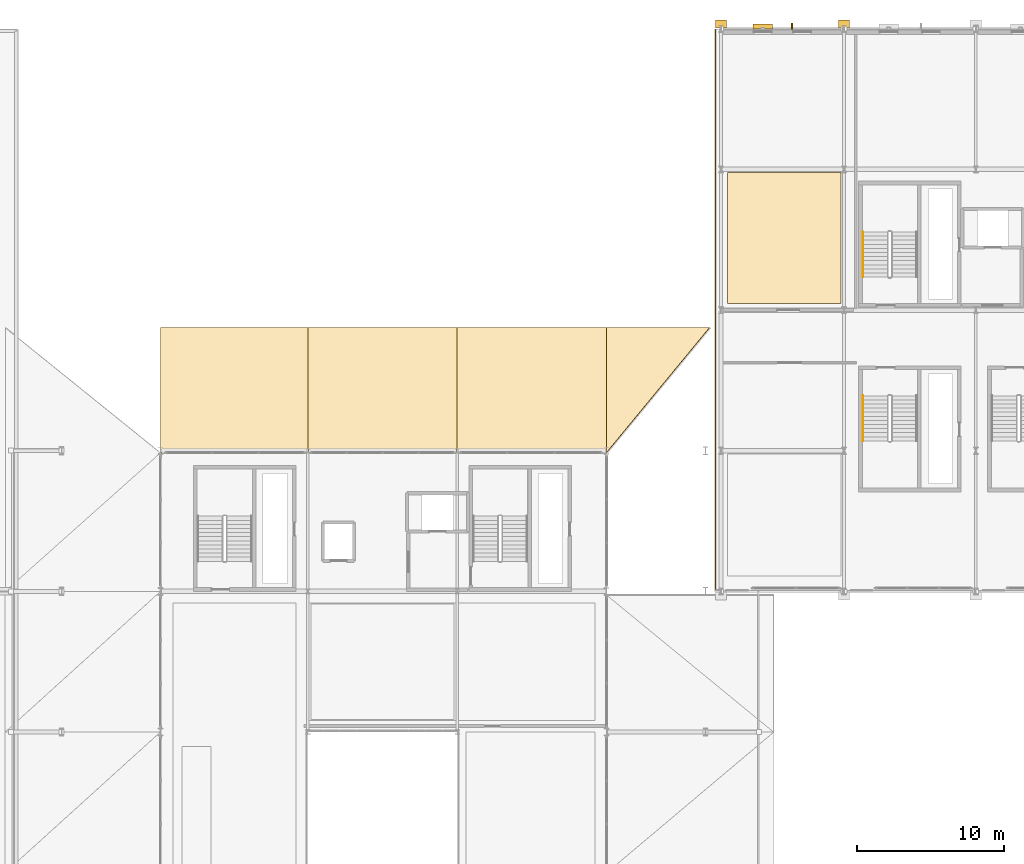
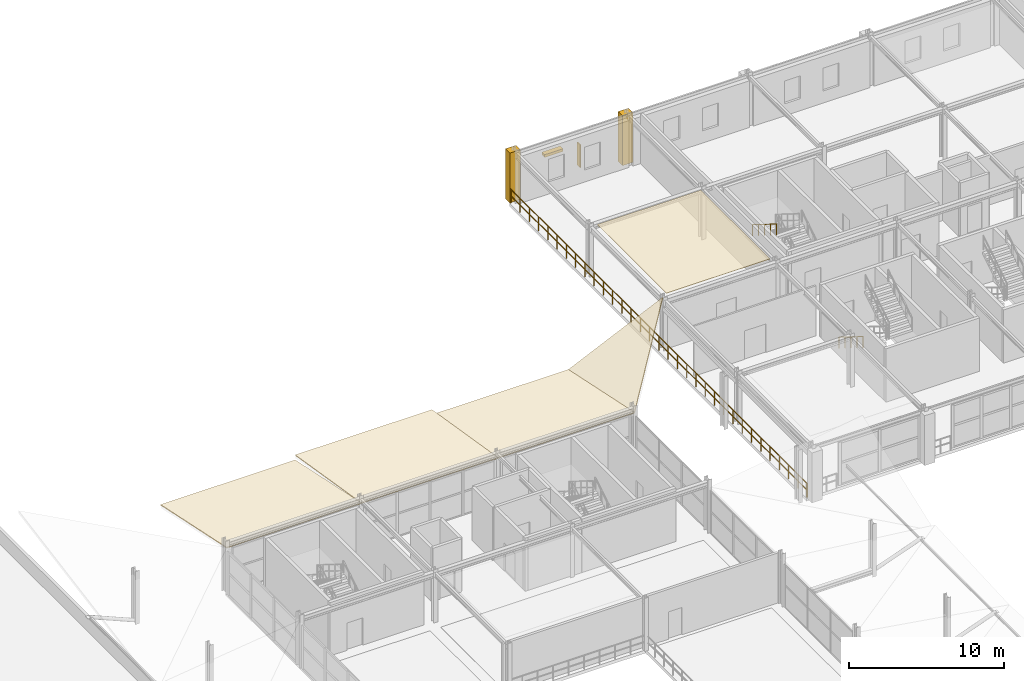
# One storey, part 74 of 81: 7 coverings, 3 railings, 2 shading devices.
"""IFC4 building model written with IfcOpenShell, lengths in metres."""

from ifc_helpers import new_model, si_unit, direction, frame, origin, origin_2d, place, context, subcontext, project, spatial, polyline, rectangle, outline, extrude, material, layer, layer_set, type_object, element, save


model = new_model("IFC4")

# Units and contexts
model_context = context("Model", 3, precision=1e-05, world=origin(), true_north=direction((0.0, 1.0)))
body_context = subcontext(model_context, "Body", "Model", "MODEL_VIEW")
ifc_project = project(units=[si_unit("LENGTHUNIT", "METRE"), si_unit("AREAUNIT", "SQUARE_METRE"), si_unit("VOLUMEUNIT", "CUBIC_METRE"), si_unit("PLANEANGLEUNIT", "RADIAN"), si_unit("MASSUNIT", "GRAM", prefix="KILO")], contexts=[model_context])

# Site, building, storey
site_placement = place(None, origin())
site = spatial("IfcSite", under=ifc_project, at=site_placement, CompositionType="ELEMENT")
building_placement = place(site_placement, origin())
building = spatial("IfcBuilding", under=site, at=building_placement, Name="Myrtia Square Station", CompositionType="ELEMENT")
storey_placement = place(building_placement, frame((0.0, 0.0, 10.800048828125)))
storey = spatial("IfcBuildingStorey", under=building, at=storey_placement, Name="L02", CompositionType="ELEMENT", Elevation=10.800048828125)

# Coverings
ifc_material_1 = material(Name="Pentelic marble ashlar", Category="masonry")
ifc_layer_1 = layer(ifc_material_1, 0.4599609375, Name="Pentelic marble ashlar")
ifc_layer_set_1 = layer_set([ifc_layer_1], Name="Pentelic marble ashlar")
covering_type_1 = type_object("IfcCoveringType", Name="COV-ARCH-ASHLAR", PredefinedType="CLADDING", material=ifc_layer_set_1)
for number, where, z_axis, x_axis, name in (
    (1, (117.60009765625, 125.1201171875, -0.0400390625), (0.0, 0.0, 1.0), (1.0, 0.0, 0.0), "Classical Pentelic ashlar pilaster 058"),
    (2, (126.0, 125.1201171875, -0.0400390625), (0.0, 0.0, 1.0), (1.0, 0.0, 0.0), "Classical Pentelic ashlar pilaster 064"),
):
    element("IfcCovering", number, at=place(storey_placement, frame(where, z_axis=z_axis, x_axis=x_axis)), inside=storey, type_object=covering_type_1, Name=name, PredefinedType="CLADDING", context=body_context, shape_type="SweptSolid", body=[
        extrude(rectangle(XDim=0.780029296875, YDim=0.56005859375, at=origin_2d()), origin(), (0.0, 0.0, 1.0), 3.93994140625),
    ])
ifc_material_2 = material(Name="Gypsum plasterboard")
ifc_layer_2 = layer(ifc_material_2, 0.034912109375, Name="Gypsum plasterboard")
ifc_layer_set_2 = layer_set([ifc_layer_2], Name="Gypsum plasterboard")
covering_type_2 = type_object("IfcCoveringType", Name="COV-CEIL-ACOUSTIC", PredefinedType="CEILING", material=ifc_layer_set_2)
covering_1_placement = place(storey_placement, frame((0.0, 0.0, 3.919921875)))
element("IfcCovering", 3, at=covering_1_placement, inside=storey, type_object=covering_type_2, Name="Acoustic coffer ceiling L02-16", PredefinedType="CEILING", context=body_context, shape_type="SweptSolid", body=[
    extrude(outline(polyline([(118.050048828125, 106.050048828125), (118.050048828125, 114.97998046875), (125.780029296875, 114.97998046875), (125.780029296875, 106.050048828125), (118.050048828125, 106.050048828125)])), origin(), (0.0, 0.0, 1.0), 0.034912109375),
])
ifc_material_3 = material(Name="Terracotta clay barrel tiles", Category="masonry")
ifc_layer_3 = layer(ifc_material_3, 0.06494140625, Name="Terracotta clay barrel tiles")
ifc_layer_set_3 = layer_set([ifc_layer_3], Name="Terracotta clay barrel tiles")
covering_type_3 = type_object("IfcCoveringType", Name="COV-TILE-TERRACOTTA", PredefinedType="ROOFING", material=ifc_layer_set_3)
covering_2_placement = place(storey_placement, frame((89.39990234375, 104.413330078125, 1.8134765625), z_axis=(0.0, 0.206014705666, 0.978548895584), x_axis=(-1.0, 0.0, 0.0)))
element("IfcCovering", 4, at=covering_2_placement, inside=storey, type_object=covering_type_3, Name="Terracotta clay barrel-tile roofing 078", PredefinedType="ROOFING", context=body_context, shape_type="SweptSolid", body=[
    extrude(outline(polyline([(0.0, 0.0), (10.0498046875, 0.0), (10.0498046875, 8.737477367464585), (0.0, 8.737477367464585), (0.0, 0.0)])), origin(), (0.0, 0.0, -1.0), 0.06494140625),
])
covering_3_placement = place(storey_placement, frame((99.60009765625, 104.410400390625, 2.214111328125), z_axis=(0.0, 0.161583377297, 0.986859063991), x_axis=(-1.0, 0.0, 0.0)))
element("IfcCovering", 5, at=covering_3_placement, inside=storey, type_object=covering_type_3, Name="Terracotta clay barrel-tile roofing 080", PredefinedType="ROOFING", context=body_context, shape_type="SweptSolid", body=[
    extrude(outline(polyline([(0.0, 0.0), (10.2001953125, 0.0), (10.2001953125, 8.663653199801669), (0.0, 8.663653199801669), (0.0, 0.0)])), origin(), (0.0, 0.0, -1.0), 0.06494140625),
])
covering_4_placement = place(storey_placement, frame((109.800048828125, 104.413330078125, 1.8134765625), z_axis=(0.0, 0.206014705666, 0.978548895584), x_axis=(-1.0, 0.0, 0.0)))
element("IfcCovering", 6, at=covering_4_placement, inside=storey, type_object=covering_type_3, Name="Terracotta clay barrel-tile roofing 082", PredefinedType="ROOFING", context=body_context, shape_type="SweptSolid", body=[
    extrude(outline(polyline([(0.0, 0.0), (10.199951171875, 0.0), (10.199951171875, 8.737477367464585), (0.0, 8.737477367464585), (0.0, 0.0)])), origin(), (0.0, 0.0, -1.0), 0.06494140625),
])
covering_5_placement = place(storey_placement, frame((116.8232421875, 104.412109375, 5.049072265625), z_axis=(-0.410274052975, 0.187882778003, 0.892398601066), x_axis=(-0.908579068852, 0.0, -0.417712910554)))
element("IfcCovering", 7, at=covering_5_placement, inside=storey, type_object=covering_type_3, Name="Terracotta clay barrel-tile roofing 084", PredefinedType="ROOFING", context=body_context, shape_type="SweptSolid", body=[
    extrude(outline(polyline([(0.0, 0.0), (7.75942245404362, 0.0), (7.007518818907426, 8.704824920783883), (0.0, 0.0)])), origin(), (0.0, 0.0, -1.0), 0.06494140625),
])

# Railings
ifc_material_4 = material(Name="Dark bronze anodised aluminium", Category="aluminium")
railing_type_1 = type_object("IfcRailingType", Name="RL-HANDRAIL-900", PredefinedType="HANDRAIL", material=ifc_material_4)
railing_1_placement = place(storey_placement, frame((127.300048828125, 110.929931640625, 2.27490234375)))
element("IfcRailing", 8, at=railing_1_placement, inside=storey, type_object=railing_type_1, Name="L02 ST07 stair handrail 2", PredefinedType="HANDRAIL", context=body_context, shape_type="SweptSolid", body=[
    extrude(rectangle(XDim=0.048095703125, YDim=0.048095703125, at=origin_2d()), frame((0.0, -0.029296875, 0.894287109375), z_axis=(0.0, -0.847979421464, 0.530029150871), x_axis=(1.0, 0.0, 0.0)), (0.0, 0.0, 1.0), 0.838623046875),
    extrude(rectangle(XDim=0.048095703125, YDim=0.048095703125, at=origin_2d()), frame((0.0, -0.79931640625, 1.37548828125), z_axis=(0.0, -0.847979421464, 0.530029150871), x_axis=(1.0, 0.0, 0.0)), (0.0, 0.0, 1.0), 0.838623046875),
    extrude(rectangle(XDim=0.048095703125, YDim=0.048095703125, at=origin_2d()), frame((0.0, -1.5693359375, 1.856689453125), z_axis=(0.0, -0.847979421464, 0.530029150871), x_axis=(1.0, 0.0, 0.0)), (0.0, 0.0, 1.0), 0.838623046875),
    extrude(rectangle(XDim=0.048095703125, YDim=0.048095703125, at=origin_2d()), frame((0.0, -2.33935546875, 2.337890625), z_axis=(0.0, -0.847979421464, 0.530029150871), x_axis=(1.0, 0.0, 0.0)), (0.0, 0.0, 1.0), 0.838623046875),
    extrude(rectangle(XDim=0.0439453125, YDim=0.0439453125, at=origin_2d()), origin(), (0.0, 0.0, 1.0), 0.89990234375),
    extrude(rectangle(XDim=0.0439453125, YDim=0.0439453125, at=origin_2d()), frame((0.0, -0.77001953125, 0.481201171875)), (0.0, 0.0, 1.0), 0.89990234375),
    extrude(rectangle(XDim=0.0439453125, YDim=0.0439453125, at=origin_2d()), frame((0.0, -1.5400390625, 0.96240234375)), (0.0, 0.0, 1.0), 0.89990234375),
    extrude(rectangle(XDim=0.0439453125, YDim=0.0439453125, at=origin_2d()), frame((0.0, -2.309814453125, 1.44384765625)), (0.0, 0.0, 1.0), 0.89990234375),
    extrude(rectangle(XDim=0.0439453125, YDim=0.0439453125, at=origin_2d()), frame((0.0, -3.079833984375, 1.925048828125)), (0.0, 0.0, 1.0), 0.89990234375),
])
railing_2_placement = place(storey_placement, frame((127.300048828125, 99.75, 0.175048828125)))
element("IfcRailing", 9, at=railing_2_placement, inside=storey, type_object=railing_type_1, Name="L02 ST12 stair handrail 1", PredefinedType="HANDRAIL", context=body_context, shape_type="SweptSolid", body=[
    extrude(rectangle(XDim=0.048095703125, YDim=0.048095703125, at=origin_2d()), frame((0.0, -0.029296875, 0.894287109375), z_axis=(0.0, -0.848028513186, 0.529950602248), x_axis=(1.0, 0.0, 0.0)), (0.0, 0.0, 1.0), 0.838623046875),
    extrude(rectangle(XDim=0.048095703125, YDim=0.048095703125, at=origin_2d()), frame((0.0, -0.79931640625, 1.37548828125), z_axis=(0.0, -0.848028513186, 0.529950602248), x_axis=(1.0, 0.0, 0.0)), (0.0, 0.0, 1.0), 0.838623046875),
    extrude(rectangle(XDim=0.048095703125, YDim=0.048095703125, at=origin_2d()), frame((0.0, -1.5693359375, 1.856689453125), z_axis=(0.0, -0.848028513186, 0.529950602248), x_axis=(1.0, 0.0, 0.0)), (0.0, 0.0, 1.0), 0.838623046875),
    extrude(rectangle(XDim=0.048095703125, YDim=0.048095703125, at=origin_2d()), frame((0.0, -2.33935546875, 2.337890625), z_axis=(0.0, -0.848028513186, 0.529950602248), x_axis=(1.0, 0.0, 0.0)), (0.0, 0.0, 1.0), 0.838623046875),
    extrude(rectangle(XDim=0.0439453125, YDim=0.0439453125, at=origin_2d()), origin(), (0.0, 0.0, 1.0), 0.89990234375),
    extrude(rectangle(XDim=0.0439453125, YDim=0.0439453125, at=origin_2d()), frame((0.0, -0.77001953125, 0.481201171875)), (0.0, 0.0, 1.0), 0.89990234375),
    extrude(rectangle(XDim=0.0439453125, YDim=0.0439453125, at=origin_2d()), frame((0.0, -1.5400390625, 0.96240234375)), (0.0, 0.0, 1.0), 0.89990234375),
    extrude(rectangle(XDim=0.0439453125, YDim=0.0439453125, at=origin_2d()), frame((0.0, -2.31005859375, 1.443603515625)), (0.0, 0.0, 1.0), 0.89990234375),
    extrude(rectangle(XDim=0.0439453125, YDim=0.0439453125, at=origin_2d()), frame((0.0, -3.080078125, 1.9248046875)), (0.0, 0.0, 1.0), 0.89990234375),
])
ifc_material_5 = material(Name="Wrought iron", Category="steel")
railing_type_2 = type_object("IfcRailingType", Name="RL-INT-GUARD-1100", PredefinedType="BALUSTRADE", material=ifc_material_5)
railing_3_placement = place(storey_placement, frame((117.22998046875, 124.75, 0.0)))
element("IfcRailing", 10, at=railing_3_placement, inside=storey, type_object=railing_type_2, Name="Perimeter slab edge balustrade L02-057", PredefinedType="BALUSTRADE", context=body_context, shape_type="SweptSolid", body=[
    extrude(rectangle(XDim=0.048095703125, YDim=0.048095703125, at=origin_2d()), frame((0.0, -0.03466796875, 1.09619140625), z_axis=(0.0, -1.0, 0.0), x_axis=(1.0, 0.0, 0.0)), (0.0, 0.0, 1.0), 1.127685546875),
    extrude(rectangle(XDim=0.048095703125, YDim=0.048095703125, at=origin_2d()), frame((0.0, -0.03466796875, 0.58251953125), z_axis=(0.0, -1.0, 0.0), x_axis=(1.0, 0.0, 0.0)), (0.0, 0.0, 1.0), 1.127685546875),
    extrude(rectangle(XDim=0.048095703125, YDim=0.048095703125, at=origin_2d()), frame((0.0, -1.2314453125, 1.09619140625), z_axis=(0.0, -1.0, 0.0), x_axis=(1.0, 0.0, 0.0)), (0.0, 0.0, 1.0), 1.127685546875),
    extrude(rectangle(XDim=0.048095703125, YDim=0.048095703125, at=origin_2d()), frame((0.0, -1.2314453125, 0.58251953125), z_axis=(0.0, -1.0, 0.0), x_axis=(1.0, 0.0, 0.0)), (0.0, 0.0, 1.0), 1.127685546875),
    extrude(rectangle(XDim=0.048095703125, YDim=0.048095703125, at=origin_2d()), frame((0.0, -2.428466796875, 1.09619140625), z_axis=(0.0, -1.0, 0.0), x_axis=(1.0, 0.0, 0.0)), (0.0, 0.0, 1.0), 1.127685546875),
    extrude(rectangle(XDim=0.048095703125, YDim=0.048095703125, at=origin_2d()), frame((0.0, -2.428466796875, 0.58251953125), z_axis=(0.0, -1.0, 0.0), x_axis=(1.0, 0.0, 0.0)), (0.0, 0.0, 1.0), 1.127685546875),
    extrude(rectangle(XDim=0.048095703125, YDim=0.048095703125, at=origin_2d()), frame((0.0, -3.625244140625, 1.09619140625), z_axis=(0.0, -1.0, 0.0), x_axis=(1.0, 0.0, 0.0)), (0.0, 0.0, 1.0), 1.127685546875),
    extrude(rectangle(XDim=0.048095703125, YDim=0.048095703125, at=origin_2d()), frame((0.0, -3.625244140625, 0.58251953125), z_axis=(0.0, -1.0, 0.0), x_axis=(1.0, 0.0, 0.0)), (0.0, 0.0, 1.0), 1.127685546875),
    extrude(rectangle(XDim=0.048095703125, YDim=0.048095703125, at=origin_2d()), frame((0.0, -4.822265625, 1.09619140625), z_axis=(0.0, -1.0, 0.0), x_axis=(1.0, 0.0, 0.0)), (0.0, 0.0, 1.0), 1.127685546875),
    extrude(rectangle(XDim=0.048095703125, YDim=0.048095703125, at=origin_2d()), frame((0.0, -4.822265625, 0.58251953125), z_axis=(0.0, -1.0, 0.0), x_axis=(1.0, 0.0, 0.0)), (0.0, 0.0, 1.0), 1.127685546875),
    extrude(rectangle(XDim=0.048095703125, YDim=0.048095703125, at=origin_2d()), frame((0.0, -6.01904296875, 1.09619140625), z_axis=(0.0, -1.0, 0.0), x_axis=(1.0, 0.0, 0.0)), (0.0, 0.0, 1.0), 1.127685546875),
    extrude(rectangle(XDim=0.048095703125, YDim=0.048095703125, at=origin_2d()), frame((0.0, -6.01904296875, 0.58251953125), z_axis=(0.0, -1.0, 0.0), x_axis=(1.0, 0.0, 0.0)), (0.0, 0.0, 1.0), 1.127685546875),
    extrude(rectangle(XDim=0.048095703125, YDim=0.048095703125, at=origin_2d()), frame((0.0, -7.2158203125, 1.09619140625), z_axis=(0.0, -1.0, 0.0), x_axis=(1.0, 0.0, 0.0)), (0.0, 0.0, 1.0), 1.127685546875),
    extrude(rectangle(XDim=0.048095703125, YDim=0.048095703125, at=origin_2d()), frame((0.0, -7.2158203125, 0.58251953125), z_axis=(0.0, -1.0, 0.0), x_axis=(1.0, 0.0, 0.0)), (0.0, 0.0, 1.0), 1.127685546875),
    extrude(rectangle(XDim=0.048095703125, YDim=0.048095703125, at=origin_2d()), frame((0.0, -8.412841796875, 1.09619140625), z_axis=(0.0, -1.0, 0.0), x_axis=(1.0, 0.0, 0.0)), (0.0, 0.0, 1.0), 1.127685546875),
    extrude(rectangle(XDim=0.048095703125, YDim=0.048095703125, at=origin_2d()), frame((0.0, -8.412841796875, 0.58251953125), z_axis=(0.0, -1.0, 0.0), x_axis=(1.0, 0.0, 0.0)), (0.0, 0.0, 1.0), 1.127685546875),
    extrude(rectangle(XDim=0.048095703125, YDim=0.048095703125, at=origin_2d()), frame((0.0, -9.609619140625, 1.09619140625), z_axis=(0.0, -1.0, 0.0), x_axis=(1.0, 0.0, 0.0)), (0.0, 0.0, 1.0), 1.127685546875),
    extrude(rectangle(XDim=0.048095703125, YDim=0.048095703125, at=origin_2d()), frame((0.0, -9.609619140625, 0.58251953125), z_axis=(0.0, -1.0, 0.0), x_axis=(1.0, 0.0, 0.0)), (0.0, 0.0, 1.0), 1.127685546875),
    extrude(rectangle(XDim=0.048095703125, YDim=0.048095703125, at=origin_2d()), frame((0.0, -10.806640625, 1.09619140625), z_axis=(0.0, -1.0, 0.0), x_axis=(1.0, 0.0, 0.0)), (0.0, 0.0, 1.0), 1.127685546875),
    extrude(rectangle(XDim=0.048095703125, YDim=0.048095703125, at=origin_2d()), frame((0.0, -10.806640625, 0.58251953125), z_axis=(0.0, -1.0, 0.0), x_axis=(1.0, 0.0, 0.0)), (0.0, 0.0, 1.0), 1.127685546875),
    extrude(rectangle(XDim=0.048095703125, YDim=0.048095703125, at=origin_2d()), frame((0.0, -12.00341796875, 1.09619140625), z_axis=(0.0, -1.0, 0.0), x_axis=(1.0, 0.0, 0.0)), (0.0, 0.0, 1.0), 1.127685546875),
    extrude(rectangle(XDim=0.048095703125, YDim=0.048095703125, at=origin_2d()), frame((0.0, -12.00341796875, 0.58251953125), z_axis=(0.0, -1.0, 0.0), x_axis=(1.0, 0.0, 0.0)), (0.0, 0.0, 1.0), 1.127685546875),
    extrude(rectangle(XDim=0.048095703125, YDim=0.048095703125, at=origin_2d()), frame((0.0, -13.2001953125, 1.09619140625), z_axis=(0.0, -1.0, 0.0), x_axis=(1.0, 0.0, 0.0)), (0.0, 0.0, 1.0), 1.127685546875),
    extrude(rectangle(XDim=0.048095703125, YDim=0.048095703125, at=origin_2d()), frame((0.0, -13.2001953125, 0.58251953125), z_axis=(0.0, -1.0, 0.0), x_axis=(1.0, 0.0, 0.0)), (0.0, 0.0, 1.0), 1.127685546875),
    extrude(rectangle(XDim=0.048095703125, YDim=0.048095703125, at=origin_2d()), frame((0.0, -14.397216796875, 1.09619140625), z_axis=(0.0, -1.0, 0.0), x_axis=(1.0, 0.0, 0.0)), (0.0, 0.0, 1.0), 1.127685546875),
    extrude(rectangle(XDim=0.048095703125, YDim=0.048095703125, at=origin_2d()), frame((0.0, -14.397216796875, 0.58251953125), z_axis=(0.0, -1.0, 0.0), x_axis=(1.0, 0.0, 0.0)), (0.0, 0.0, 1.0), 1.127685546875),
    extrude(rectangle(XDim=0.048095703125, YDim=0.048095703125, at=origin_2d()), frame((0.0, -15.593994140625, 1.09619140625), z_axis=(0.0, -1.0, 0.0), x_axis=(1.0, 0.0, 0.0)), (0.0, 0.0, 1.0), 1.127685546875),
    extrude(rectangle(XDim=0.048095703125, YDim=0.048095703125, at=origin_2d()), frame((0.0, -15.593994140625, 0.58251953125), z_axis=(0.0, -1.0, 0.0), x_axis=(1.0, 0.0, 0.0)), (0.0, 0.0, 1.0), 1.127685546875),
    extrude(rectangle(XDim=0.048095703125, YDim=0.048095703125, at=origin_2d()), frame((0.0, -16.791015625, 1.09619140625), z_axis=(0.0, -1.0, 0.0), x_axis=(1.0, 0.0, 0.0)), (0.0, 0.0, 1.0), 1.127685546875),
    extrude(rectangle(XDim=0.048095703125, YDim=0.048095703125, at=origin_2d()), frame((0.0, -16.791015625, 0.58251953125), z_axis=(0.0, -1.0, 0.0), x_axis=(1.0, 0.0, 0.0)), (0.0, 0.0, 1.0), 1.127685546875),
    extrude(rectangle(XDim=0.048095703125, YDim=0.048095703125, at=origin_2d()), frame((0.0, -17.98779296875, 1.09619140625), z_axis=(0.0, -1.0, 0.0), x_axis=(1.0, 0.0, 0.0)), (0.0, 0.0, 1.0), 1.127685546875),
    extrude(rectangle(XDim=0.048095703125, YDim=0.048095703125, at=origin_2d()), frame((0.0, -17.98779296875, 0.58251953125), z_axis=(0.0, -1.0, 0.0), x_axis=(1.0, 0.0, 0.0)), (0.0, 0.0, 1.0), 1.127685546875),
    extrude(rectangle(XDim=0.048095703125, YDim=0.048095703125, at=origin_2d()), frame((0.0, -19.1845703125, 1.09619140625), z_axis=(0.0, -1.0, 0.0), x_axis=(1.0, 0.0, 0.0)), (0.0, 0.0, 1.0), 1.127685546875),
    extrude(rectangle(XDim=0.048095703125, YDim=0.048095703125, at=origin_2d()), frame((0.0, -19.1845703125, 0.58251953125), z_axis=(0.0, -1.0, 0.0), x_axis=(1.0, 0.0, 0.0)), (0.0, 0.0, 1.0), 1.127685546875),
    extrude(rectangle(XDim=0.048095703125, YDim=0.048095703125, at=origin_2d()), frame((0.0, -20.381591796875, 1.09619140625), z_axis=(0.0, -1.0, 0.0), x_axis=(1.0, 0.0, 0.0)), (0.0, 0.0, 1.0), 1.127685546875),
    extrude(rectangle(XDim=0.048095703125, YDim=0.048095703125, at=origin_2d()), frame((0.0, -20.381591796875, 0.58251953125), z_axis=(0.0, -1.0, 0.0), x_axis=(1.0, 0.0, 0.0)), (0.0, 0.0, 1.0), 1.127685546875),
    extrude(rectangle(XDim=0.048095703125, YDim=0.048095703125, at=origin_2d()), frame((0.0, -21.578369140625, 1.09619140625), z_axis=(0.0, -1.0, 0.0), x_axis=(1.0, 0.0, 0.0)), (0.0, 0.0, 1.0), 1.127685546875),
    extrude(rectangle(XDim=0.048095703125, YDim=0.048095703125, at=origin_2d()), frame((0.0, -21.578369140625, 0.58251953125), z_axis=(0.0, -1.0, 0.0), x_axis=(1.0, 0.0, 0.0)), (0.0, 0.0, 1.0), 1.127685546875),
    extrude(rectangle(XDim=0.048095703125, YDim=0.048095703125, at=origin_2d()), frame((0.0, -22.775390625, 1.09619140625), z_axis=(0.0, -1.0, 0.0), x_axis=(1.0, 0.0, 0.0)), (0.0, 0.0, 1.0), 1.127685546875),
    extrude(rectangle(XDim=0.048095703125, YDim=0.048095703125, at=origin_2d()), frame((0.0, -22.775390625, 0.58251953125), z_axis=(0.0, -1.0, 0.0), x_axis=(1.0, 0.0, 0.0)), (0.0, 0.0, 1.0), 1.127685546875),
    extrude(rectangle(XDim=0.048095703125, YDim=0.048095703125, at=origin_2d()), frame((0.0, -23.97216796875, 1.09619140625), z_axis=(0.0, -1.0, 0.0), x_axis=(1.0, 0.0, 0.0)), (0.0, 0.0, 1.0), 1.127685546875),
    extrude(rectangle(XDim=0.048095703125, YDim=0.048095703125, at=origin_2d()), frame((0.0, -23.97216796875, 0.58251953125), z_axis=(0.0, -1.0, 0.0), x_axis=(1.0, 0.0, 0.0)), (0.0, 0.0, 1.0), 1.127685546875),
    extrude(rectangle(XDim=0.048095703125, YDim=0.048095703125, at=origin_2d()), frame((0.0, -25.1689453125, 1.09619140625), z_axis=(0.0, -1.0, 0.0), x_axis=(1.0, 0.0, 0.0)), (0.0, 0.0, 1.0), 1.127685546875),
    extrude(rectangle(XDim=0.048095703125, YDim=0.048095703125, at=origin_2d()), frame((0.0, -25.1689453125, 0.58251953125), z_axis=(0.0, -1.0, 0.0), x_axis=(1.0, 0.0, 0.0)), (0.0, 0.0, 1.0), 1.127685546875),
    extrude(rectangle(XDim=0.048095703125, YDim=0.048095703125, at=origin_2d()), frame((0.0, -26.365966796875, 1.09619140625), z_axis=(0.0, -1.0, 0.0), x_axis=(1.0, 0.0, 0.0)), (0.0, 0.0, 1.0), 1.127685546875),
    extrude(rectangle(XDim=0.048095703125, YDim=0.048095703125, at=origin_2d()), frame((0.0, -26.365966796875, 0.58251953125), z_axis=(0.0, -1.0, 0.0), x_axis=(1.0, 0.0, 0.0)), (0.0, 0.0, 1.0), 1.127685546875),
    extrude(rectangle(XDim=0.048095703125, YDim=0.048095703125, at=origin_2d()), frame((0.0, -27.562744140625, 1.09619140625), z_axis=(0.0, -1.0, 0.0), x_axis=(1.0, 0.0, 0.0)), (0.0, 0.0, 1.0), 1.127685546875),
    extrude(rectangle(XDim=0.048095703125, YDim=0.048095703125, at=origin_2d()), frame((0.0, -27.562744140625, 0.58251953125), z_axis=(0.0, -1.0, 0.0), x_axis=(1.0, 0.0, 0.0)), (0.0, 0.0, 1.0), 1.127685546875),
    extrude(rectangle(XDim=0.048095703125, YDim=0.048095703125, at=origin_2d()), frame((0.0, -28.759765625, 1.09619140625), z_axis=(0.0, -1.0, 0.0), x_axis=(1.0, 0.0, 0.0)), (0.0, 0.0, 1.0), 1.127685546875),
    extrude(rectangle(XDim=0.048095703125, YDim=0.048095703125, at=origin_2d()), frame((0.0, -28.759765625, 0.58251953125), z_axis=(0.0, -1.0, 0.0), x_axis=(1.0, 0.0, 0.0)), (0.0, 0.0, 1.0), 1.127685546875),
    extrude(rectangle(XDim=0.048095703125, YDim=0.048095703125, at=origin_2d()), frame((0.0, -29.95654296875, 1.09619140625), z_axis=(0.0, -1.0, 0.0), x_axis=(1.0, 0.0, 0.0)), (0.0, 0.0, 1.0), 1.127685546875),
    extrude(rectangle(XDim=0.048095703125, YDim=0.048095703125, at=origin_2d()), frame((0.0, -29.95654296875, 0.58251953125), z_axis=(0.0, -1.0, 0.0), x_axis=(1.0, 0.0, 0.0)), (0.0, 0.0, 1.0), 1.127685546875),
    extrude(rectangle(XDim=0.048095703125, YDim=0.048095703125, at=origin_2d()), frame((0.0, -31.1533203125, 1.09619140625), z_axis=(0.0, -1.0, 0.0), x_axis=(1.0, 0.0, 0.0)), (0.0, 0.0, 1.0), 1.127685546875),
    extrude(rectangle(XDim=0.048095703125, YDim=0.048095703125, at=origin_2d()), frame((0.0, -31.1533203125, 0.58251953125), z_axis=(0.0, -1.0, 0.0), x_axis=(1.0, 0.0, 0.0)), (0.0, 0.0, 1.0), 1.127685546875),
    extrude(rectangle(XDim=0.048095703125, YDim=0.048095703125, at=origin_2d()), frame((0.0, -32.350341796875, 1.09619140625), z_axis=(0.0, -1.0, 0.0), x_axis=(1.0, 0.0, 0.0)), (0.0, 0.0, 1.0), 1.127685546875),
    extrude(rectangle(XDim=0.048095703125, YDim=0.048095703125, at=origin_2d()), frame((0.0, -32.350341796875, 0.58251953125), z_axis=(0.0, -1.0, 0.0), x_axis=(1.0, 0.0, 0.0)), (0.0, 0.0, 1.0), 1.127685546875),
    extrude(rectangle(XDim=0.048095703125, YDim=0.048095703125, at=origin_2d()), frame((0.0, -33.547119140625, 1.09619140625), z_axis=(0.0, -1.0, 0.0), x_axis=(1.0, 0.0, 0.0)), (0.0, 0.0, 1.0), 1.127685546875),
    extrude(rectangle(XDim=0.048095703125, YDim=0.048095703125, at=origin_2d()), frame((0.0, -33.547119140625, 0.58251953125), z_axis=(0.0, -1.0, 0.0), x_axis=(1.0, 0.0, 0.0)), (0.0, 0.0, 1.0), 1.127685546875),
    extrude(rectangle(XDim=0.048095703125, YDim=0.048095703125, at=origin_2d()), frame((0.0, -34.744140625, 1.09619140625), z_axis=(0.0, -1.0, 0.0), x_axis=(1.0, 0.0, 0.0)), (0.0, 0.0, 1.0), 1.127685546875),
    extrude(rectangle(XDim=0.048095703125, YDim=0.048095703125, at=origin_2d()), frame((0.0, -34.744140625, 0.58251953125), z_axis=(0.0, -1.0, 0.0), x_axis=(1.0, 0.0, 0.0)), (0.0, 0.0, 1.0), 1.127685546875),
    extrude(rectangle(XDim=0.048095703125, YDim=0.048095703125, at=origin_2d()), frame((0.0, -35.94091796875, 1.09619140625), z_axis=(0.0, -1.0, 0.0), x_axis=(1.0, 0.0, 0.0)), (0.0, 0.0, 1.0), 1.127685546875),
    extrude(rectangle(XDim=0.048095703125, YDim=0.048095703125, at=origin_2d()), frame((0.0, -35.94091796875, 0.58251953125), z_axis=(0.0, -1.0, 0.0), x_axis=(1.0, 0.0, 0.0)), (0.0, 0.0, 1.0), 1.127685546875),
    extrude(rectangle(XDim=0.048095703125, YDim=0.048095703125, at=origin_2d()), frame((0.0, -37.1376953125, 1.09619140625), z_axis=(0.0, -1.0, 0.0), x_axis=(1.0, 0.0, 0.0)), (0.0, 0.0, 1.0), 1.127685546875),
    extrude(rectangle(XDim=0.048095703125, YDim=0.048095703125, at=origin_2d()), frame((0.0, -37.1376953125, 0.58251953125), z_axis=(0.0, -1.0, 0.0), x_axis=(1.0, 0.0, 0.0)), (0.0, 0.0, 1.0), 1.127685546875),
    extrude(rectangle(XDim=0.0439453125, YDim=0.0439453125, at=origin_2d()), origin(), (0.0, 0.0, 1.0), 1.1201171875),
    extrude(rectangle(XDim=0.0439453125, YDim=0.0439453125, at=origin_2d()), frame((0.0, -1.19677734375, 0.0)), (0.0, 0.0, 1.0), 1.1201171875),
    extrude(rectangle(XDim=0.0439453125, YDim=0.0439453125, at=origin_2d()), frame((0.0, -2.393798828125, 0.0)), (0.0, 0.0, 1.0), 1.1201171875),
    extrude(rectangle(XDim=0.0439453125, YDim=0.0439453125, at=origin_2d()), frame((0.0, -3.590576171875, 0.0)), (0.0, 0.0, 1.0), 1.1201171875),
    extrude(rectangle(XDim=0.0439453125, YDim=0.0439453125, at=origin_2d()), frame((0.0, -4.78759765625, 0.0)), (0.0, 0.0, 1.0), 1.1201171875),
    extrude(rectangle(XDim=0.0439453125, YDim=0.0439453125, at=origin_2d()), frame((0.0, -5.984375, 0.0)), (0.0, 0.0, 1.0), 1.1201171875),
    extrude(rectangle(XDim=0.0439453125, YDim=0.0439453125, at=origin_2d()), frame((0.0, -7.18115234375, 0.0)), (0.0, 0.0, 1.0), 1.1201171875),
    extrude(rectangle(XDim=0.0439453125, YDim=0.0439453125, at=origin_2d()), frame((0.0, -8.378173828125, 0.0)), (0.0, 0.0, 1.0), 1.1201171875),
    extrude(rectangle(XDim=0.0439453125, YDim=0.0439453125, at=origin_2d()), frame((0.0, -9.574951171875, 0.0)), (0.0, 0.0, 1.0), 1.1201171875),
    extrude(rectangle(XDim=0.0439453125, YDim=0.0439453125, at=origin_2d()), frame((0.0, -10.77197265625, 0.0)), (0.0, 0.0, 1.0), 1.1201171875),
    extrude(rectangle(XDim=0.0439453125, YDim=0.0439453125, at=origin_2d()), frame((0.0, -11.96875, 0.0)), (0.0, 0.0, 1.0), 1.1201171875),
    extrude(rectangle(XDim=0.0439453125, YDim=0.0439453125, at=origin_2d()), frame((0.0, -13.16552734375, 0.0)), (0.0, 0.0, 1.0), 1.1201171875),
    extrude(rectangle(XDim=0.0439453125, YDim=0.0439453125, at=origin_2d()), frame((0.0, -14.362548828125, 0.0)), (0.0, 0.0, 1.0), 1.1201171875),
    extrude(rectangle(XDim=0.0439453125, YDim=0.0439453125, at=origin_2d()), frame((0.0, -15.559326171875, 0.0)), (0.0, 0.0, 1.0), 1.1201171875),
    extrude(rectangle(XDim=0.0439453125, YDim=0.0439453125, at=origin_2d()), frame((0.0, -16.75634765625, 0.0)), (0.0, 0.0, 1.0), 1.1201171875),
    extrude(rectangle(XDim=0.0439453125, YDim=0.0439453125, at=origin_2d()), frame((0.0, -17.953125, 0.0)), (0.0, 0.0, 1.0), 1.1201171875),
    extrude(rectangle(XDim=0.0439453125, YDim=0.0439453125, at=origin_2d()), frame((0.0, -19.14990234375, 0.0)), (0.0, 0.0, 1.0), 1.1201171875),
    extrude(rectangle(XDim=0.0439453125, YDim=0.0439453125, at=origin_2d()), frame((0.0, -20.346923828125, 0.0)), (0.0, 0.0, 1.0), 1.1201171875),
    extrude(rectangle(XDim=0.0439453125, YDim=0.0439453125, at=origin_2d()), frame((0.0, -21.543701171875, 0.0)), (0.0, 0.0, 1.0), 1.1201171875),
    extrude(rectangle(XDim=0.0439453125, YDim=0.0439453125, at=origin_2d()), frame((0.0, -22.74072265625, 0.0)), (0.0, 0.0, 1.0), 1.1201171875),
    extrude(rectangle(XDim=0.0439453125, YDim=0.0439453125, at=origin_2d()), frame((0.0, -23.9375, 0.0)), (0.0, 0.0, 1.0), 1.1201171875),
    extrude(rectangle(XDim=0.0439453125, YDim=0.0439453125, at=origin_2d()), frame((0.0, -25.134521484375, 0.0)), (0.0, 0.0, 1.0), 1.1201171875),
    extrude(rectangle(XDim=0.0439453125, YDim=0.0439453125, at=origin_2d()), frame((0.0, -26.331298828125, 0.0)), (0.0, 0.0, 1.0), 1.1201171875),
    extrude(rectangle(XDim=0.0439453125, YDim=0.0439453125, at=origin_2d()), frame((0.0, -27.528076171875, 0.0)), (0.0, 0.0, 1.0), 1.1201171875),
    extrude(rectangle(XDim=0.0439453125, YDim=0.0439453125, at=origin_2d()), frame((0.0, -28.72509765625, 0.0)), (0.0, 0.0, 1.0), 1.1201171875),
    extrude(rectangle(XDim=0.0439453125, YDim=0.0439453125, at=origin_2d()), frame((0.0, -29.921875, 0.0)), (0.0, 0.0, 1.0), 1.1201171875),
    extrude(rectangle(XDim=0.0439453125, YDim=0.0439453125, at=origin_2d()), frame((0.0, -31.118896484375, 0.0)), (0.0, 0.0, 1.0), 1.1201171875),
    extrude(rectangle(XDim=0.0439453125, YDim=0.0439453125, at=origin_2d()), frame((0.0, -32.315673828125, 0.0)), (0.0, 0.0, 1.0), 1.1201171875),
    extrude(rectangle(XDim=0.0439453125, YDim=0.0439453125, at=origin_2d()), frame((0.0, -33.512451171875, 0.0)), (0.0, 0.0, 1.0), 1.1201171875),
    extrude(rectangle(XDim=0.0439453125, YDim=0.0439453125, at=origin_2d()), frame((0.0, -34.70947265625, 0.0)), (0.0, 0.0, 1.0), 1.1201171875),
    extrude(rectangle(XDim=0.0439453125, YDim=0.0439453125, at=origin_2d()), frame((0.0, -35.90625, 0.0)), (0.0, 0.0, 1.0), 1.1201171875),
    extrude(rectangle(XDim=0.0439453125, YDim=0.0439453125, at=origin_2d()), frame((0.0, -37.103271484375, 0.0)), (0.0, 0.0, 1.0), 1.1201171875),
    extrude(rectangle(XDim=0.0439453125, YDim=0.0439453125, at=origin_2d()), frame((0.0, -38.300048828125, 0.0)), (0.0, 0.0, 1.0), 1.1201171875),
])

# Shading devices
shading_device_type_1 = type_object("IfcShadingDeviceType", Name="SHD-FIN-BRONZE", PredefinedType="USERDEFINED", material=ifc_material_4)
shading_device_1_placement = place(storey_placement, frame((122.447998046875, 124.969970703125, 0.94970703125), z_axis=(0.0, 0.0, 1.0), x_axis=(1.0, 0.0, 0.0)))
element("IfcShadingDevice", 11, at=shading_device_1_placement, inside=storey, type_object=shading_device_type_1, Name="Vertical bronze solar fin SHF-055", ObjectType="FIN", PredefinedType="USERDEFINED", context=body_context, shape_type="SweptSolid", body=[
    extrude(rectangle(XDim=0.080078125, YDim=0.389892578125, at=origin_2d()), origin(), (0.0, 0.0, 1.0), 1.800048828125),
])
shading_device_type_2 = type_object("IfcShadingDeviceType", Name="SHD-JALOUSIE-BRONZE", PredefinedType="JALOUSIE", material=ifc_material_4)
shading_device_2_placement = place(storey_placement, frame((120.451904296875, 124.949951171875, 2.68994140625), z_axis=(0.0, 0.0, 1.0), x_axis=(1.0, 0.0, 0.0)))
element("IfcShadingDevice", 12, at=shading_device_2_placement, inside=storey, type_object=shading_device_type_2, Name="Mediterranean bronze solar louvre SHL-055", PredefinedType="JALOUSIE", context=body_context, shape_type="SweptSolid", body=[
    extrude(rectangle(XDim=1.360107421875, YDim=0.35009765625, at=origin_2d()), origin(), (0.0, 0.0, 1.0), 0.219970703125),
])

save(model, "model.ifc")
